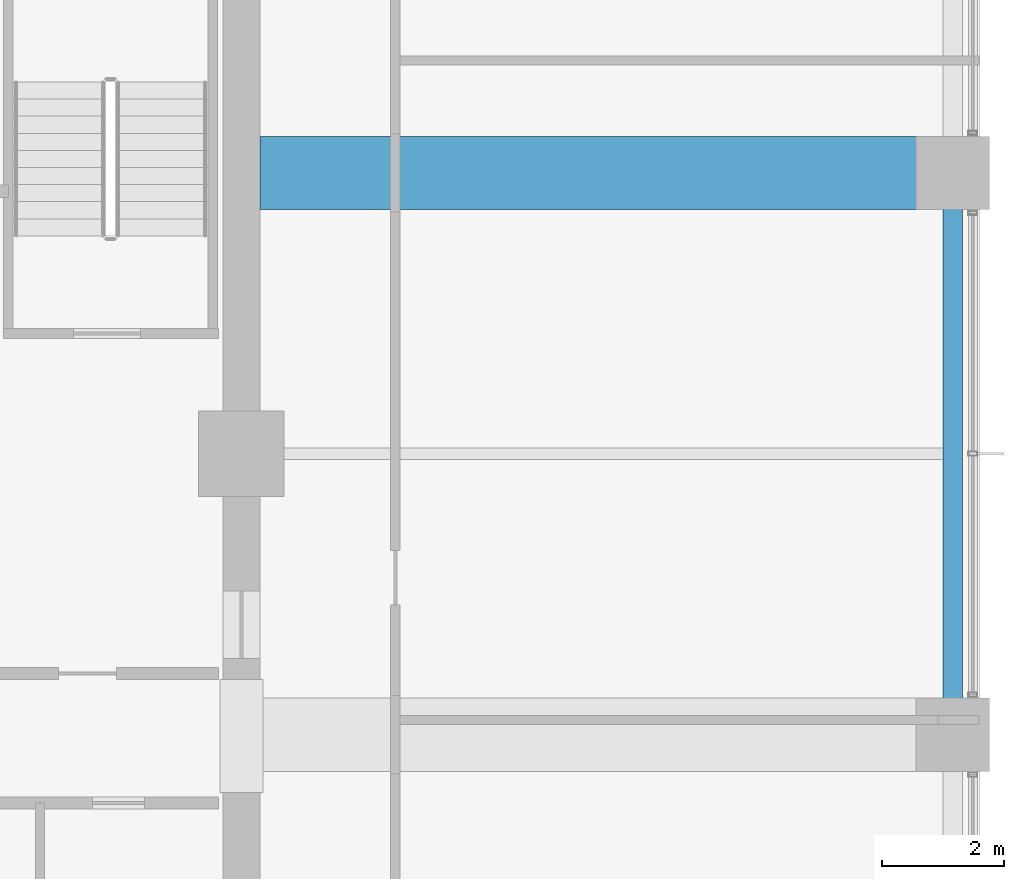
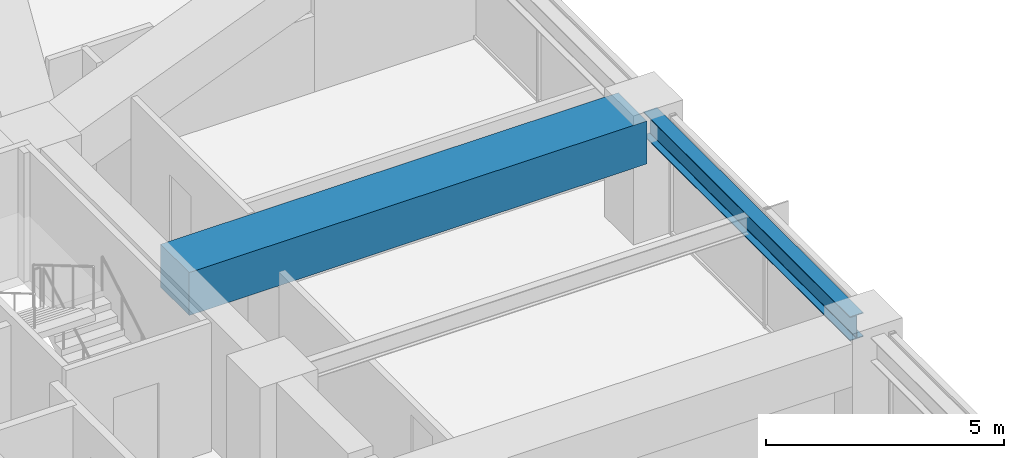
# One storey, part 15 of 37: 2 beams.
"""IFC4 building model written with IfcOpenShell, lengths in metres."""

from ifc_helpers import new_model, si_unit, direction, frame, origin, origin_2d, place, context, subcontext, project, spatial, rectangle, i_section, extrude, material, material_profile, profile_set, type_object, element, save


model = new_model("IFC4")

# Units and contexts
model_context = context("Model", 3, precision=1e-05, world=origin(), true_north=direction((0.0, 1.0)))
body_context = subcontext(model_context, "Body", "Model", "MODEL_VIEW")
ifc_project = project(units=[si_unit("LENGTHUNIT", "METRE"), si_unit("AREAUNIT", "SQUARE_METRE"), si_unit("VOLUMEUNIT", "CUBIC_METRE"), si_unit("PLANEANGLEUNIT", "RADIAN"), si_unit("MASSUNIT", "GRAM", prefix="KILO")], contexts=[model_context])

# Site, building, storey
site_placement = place(None, origin())
site = spatial("IfcSite", under=ifc_project, at=site_placement, CompositionType="ELEMENT")
building_placement = place(site_placement, origin())
building = spatial("IfcBuilding", under=site, at=building_placement, Name="Kolvaren Belvedere", CompositionType="ELEMENT")
storey_placement = place(building_placement, frame((0.0, 0.0, 37.0)))
storey = spatial("IfcBuildingStorey", under=building, at=storey_placement, Name="L10", CompositionType="ELEMENT", Elevation=37.0)

# Beams
ifc_material_1 = material(Name="Structural steel ASTM A992 Grade 50", Category="steel")
ifc_material_profile_1 = material_profile(ifc_material_1, i_section(OverallWidth=0.324951171875, OverallDepth=0.615966796875, WebThickness=0.013916015625, FlangeThickness=0.021484375, FilletRadius=0.02001953125, at=origin_2d()), Name="W24X117")
ifc_profile_set_1 = profile_set([ifc_material_profile_1], Name="Structural steel ASTM A992 Grade 50")
beam_type_1 = type_object("IfcBeamType", Name="BM-SPAN-W24X117", PredefinedType="SPANDREL", material=ifc_profile_set_1)
beam_1_placement = place(storey_placement, frame((21.550048828125, -4.330078125, 2.751953125), z_axis=(0.0, 1.0, 0.0), x_axis=(-1.0, 0.0, 0.0)))
element("IfcBeam", 1, at=beam_1_placement, inside=storey, type_object=beam_type_1, Name="L10 Perimeter Spandrel E2-E3", PredefinedType="SPANDREL", context=body_context, shape_type="SweptSolid", body=[
    extrude(i_section(OverallWidth=0.324951171875, OverallDepth=0.615966796875, WebThickness=0.013916015625, FlangeThickness=0.021484375, FilletRadius=0.02001953125, at=origin_2d()), origin(), (0.0, 0.0, 1.0), 8.66015625),
])
ifc_material_2 = material(Name="Concrete C50/60", Category="concrete")
ifc_material_profile_2 = material_profile(ifc_material_2, rectangle(XDim=1.199951171875, YDim=1.10009765625, at=origin_2d()), Name="RC 1200X1100")
ifc_profile_set_2 = profile_set([ifc_material_profile_2], Name="Concrete C50/60")
beam_type_2 = type_object("IfcBeamType", Name="BM-TG-1100", PredefinedType="BEAM", material=ifc_profile_set_2)
beam_2_placement = place(storey_placement, frame((10.199951171875, 4.60009765625, 2.510009765625), z_axis=(1.0, 0.0, 0.0), x_axis=(0.0, 1.0, 0.0)))
element("IfcBeam", 2, at=beam_2_placement, inside=storey, type_object=beam_type_2, Name="L10 East Radial Girder P", PredefinedType="BEAM", context=body_context, shape_type="SweptSolid", body=[
    extrude(rectangle(XDim=1.199951171875, YDim=1.10009765625, at=origin_2d()), origin(), (0.0, 0.0, 1.0), 11.080078125),
])

save(model, "model.ifc")
